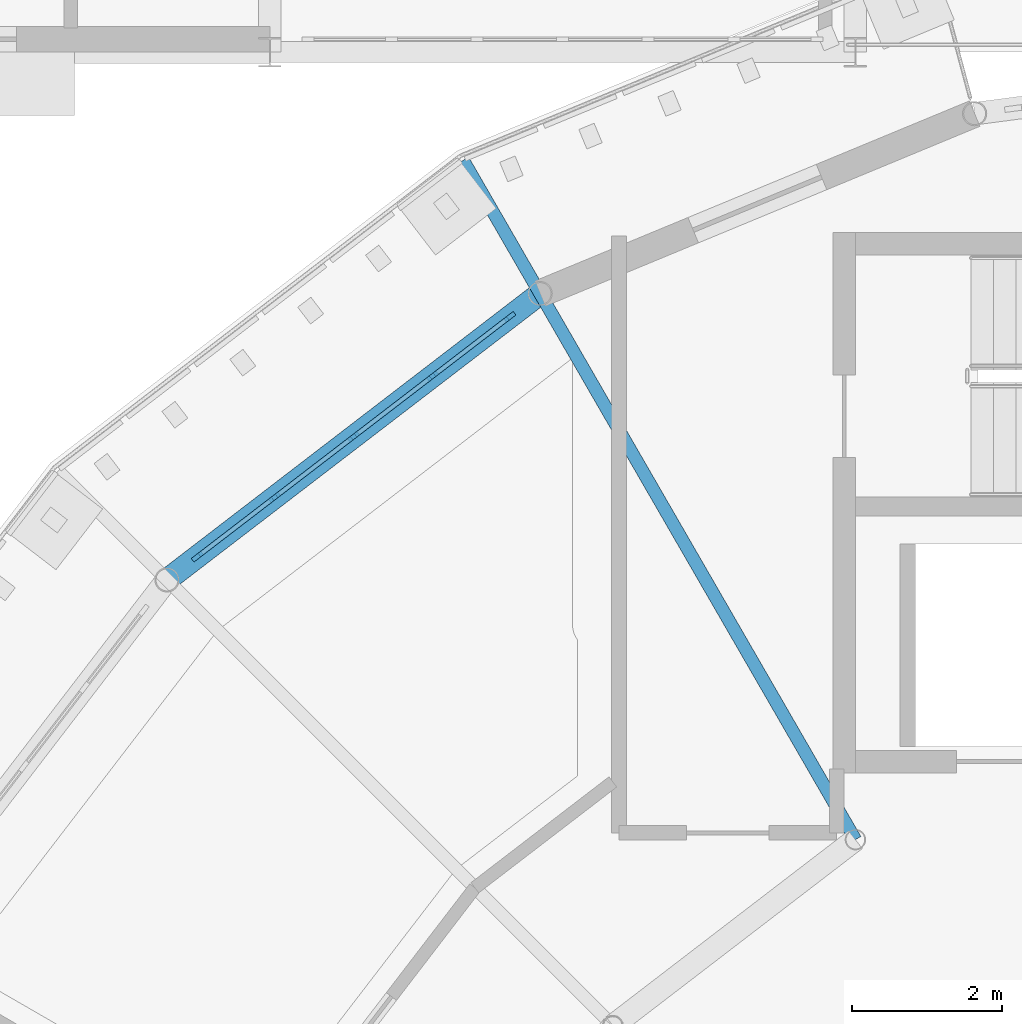
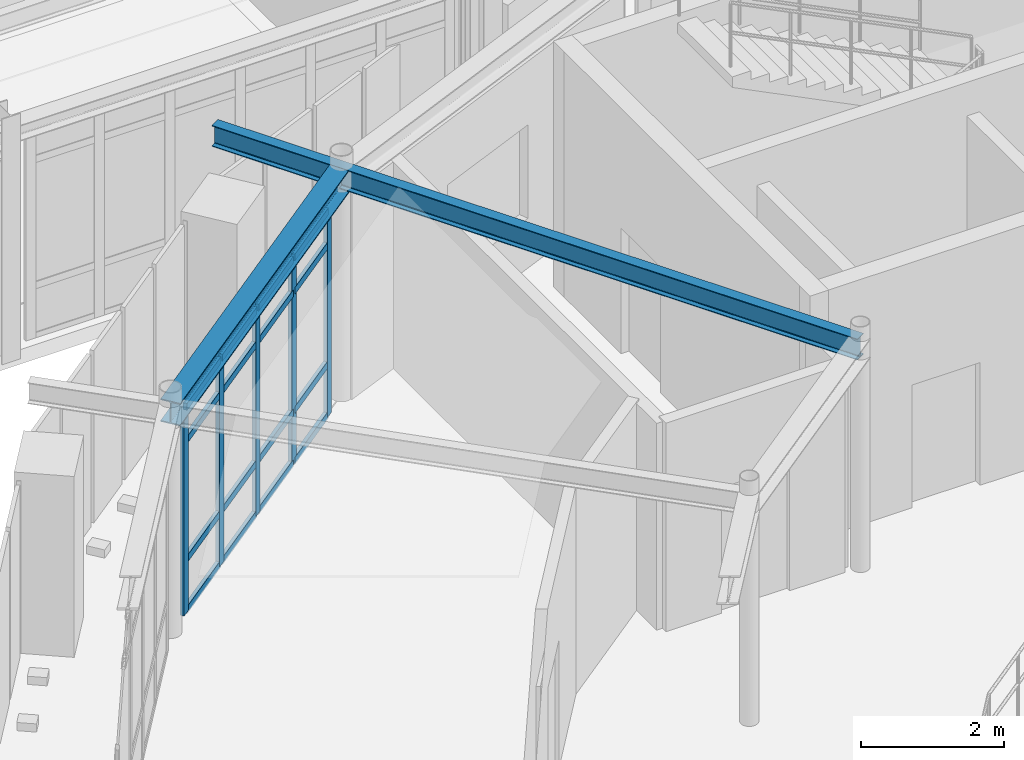
# One storey, part 48 of 90: 21 members, 2 beams, 1 element without a shape of its own.
"""IFC4 building model written with IfcOpenShell, lengths in metres."""

from ifc_helpers import new_model, si_unit, derived_unit, direction, frame, origin, origin_2d, place, context, subcontext, project, spatial, rectangle, i_section, extrude, material, layer, layer_set, material_profile, profile_set, type_object, element, aggregate, save


model = new_model("IFC4")

# Units and contexts
model_context = context("Model", 3, precision=1e-05, world=origin(), true_north=direction((0.0, 1.0)))
body_context = subcontext(model_context, "Body", "Model", "MODEL_VIEW")
ifc_project = project(units=[si_unit("LENGTHUNIT", "METRE"), si_unit("AREAUNIT", "SQUARE_METRE"), si_unit("VOLUMEUNIT", "CUBIC_METRE"), si_unit("PLANEANGLEUNIT", "RADIAN"), si_unit("MASSUNIT", "GRAM", prefix="KILO"), derived_unit("THERMALTRANSMITTANCEUNIT", [(si_unit("POWERUNIT", "WATT"), 1), (si_unit("AREAUNIT", "SQUARE_METRE"), -1), (si_unit("THERMODYNAMICTEMPERATUREUNIT", "KELVIN"), -1)])], contexts=[model_context])

# Site, building, storey
site_placement = place(None, origin())
site = spatial("IfcSite", under=ifc_project, at=site_placement, CompositionType="ELEMENT")
building_placement = place(site_placement, origin())
building = spatial("IfcBuilding", under=site, at=building_placement, Name="Yasenodar Specialist Clinic", CompositionType="ELEMENT")
storey_placement = place(building_placement, frame((0.0, 0.0, 9.0)))
storey = spatial("IfcBuildingStorey", under=building, at=storey_placement, Name="L02", CompositionType="ELEMENT", Elevation=9.0)

# Beams
ifc_material_1 = material(Name="Steel S355", Category="steel")
ifc_material_profile_1 = material_profile(ifc_material_1, i_section(OverallWidth=0.300048828125, OverallDepth=0.389892578125, WebThickness=0.010986328125, FlangeThickness=0.01904296875, FilletRadius=0.027099609375, at=origin_2d()), Name="HEA 400")
ifc_profile_set_1 = profile_set([ifc_material_profile_1], Name="Steel S355")
beam_type_1 = type_object("IfcBeamType", Name="BM-HEA400", PredefinedType="BEAM", material=ifc_profile_set_1)
beam_1_placement = place(storey_placement, frame((69.0, 79.584716796875, 3.7548828125), z_axis=(-0.793349152542, -0.608766886551, 0.0), x_axis=(0.608766886551, -0.793349152542, 0.0)))
element("IfcBeam", 1, at=beam_1_placement, inside=storey, type_object=beam_type_1, Name="L02 Drum V1 Perimeter Ring Beam", PredefinedType="BEAM", context=body_context, shape_type="SweptSolid", body=[
    extrude(i_section(OverallWidth=0.300048828125, OverallDepth=0.389892578125, WebThickness=0.010986328125, FlangeThickness=0.01904296875, FilletRadius=0.027099609375, at=origin_2d()), origin(), (0.0, 0.0, 1.0), 6.265380859375),
])
ifc_material_profile_2 = material_profile(ifc_material_1, i_section(OverallWidth=0.169921875, OverallDepth=0.360107421875, WebThickness=0.008056640625, FlangeThickness=0.0126953125, FilletRadius=0.01806640625, at=origin_2d()), Name="IPE 360")
ifc_profile_set_2 = profile_set([ifc_material_profile_2], Name="Steel S355")
beam_type_2 = type_object("IfcBeamType", Name="BM-IPE360", PredefinedType="BEAM", material=ifc_profile_set_2)
beam_2_placement = place(storey_placement, frame((73.199951171875, 72.31005859375, 3.77001953125), z_axis=(-0.499986032603, 0.866033467715, 0.0), x_axis=(-0.866033467715, -0.499986032603, 0.0)))
element("IfcBeam", 2, at=beam_2_placement, inside=storey, type_object=beam_type_2, Name="L02 Drum V1 Radial Back-Spanned Cantilever Beam", PredefinedType="BEAM", context=body_context, shape_type="SweptSolid", body=[
    extrude(i_section(OverallWidth=0.169921875, OverallDepth=0.360107421875, WebThickness=0.008056640625, FlangeThickness=0.0126953125, FilletRadius=0.01806640625, at=origin_2d()), origin(), (0.0, 0.0, 1.0), 10.449951171875),
])

# Curtain wall, members
ifc_material_2 = material(Name="Bronze Anodized Aluminium and Triple Low-E Glass", Category="aluminium")
ifc_layer = layer(ifc_material_2, 0.1669921875)
ifc_layer_set = layer_set([ifc_layer], Name="Bronze Anodized Aluminium and Triple Low-E Glass")
curtain_wall_type = type_object("IfcCurtainWallType", Name="CW-SYS-01", PredefinedType="USERDEFINED", material=ifc_layer_set)
curtain_wall_placement = place(storey_placement, origin())
curtain_wall = element("IfcCurtainWall", 3, at=curtain_wall_placement, inside=storey, type_object=curtain_wall_type, Name="L02 Unitised Curtain Wall 031", ObjectType="UNITISED CURTAIN WALL", PredefinedType="USERDEFINED")
ifc_material_3 = material(Name="Bronze Anodized Aluminium", Category="aluminium")
ifc_material_profile_3 = material_profile(ifc_material_3, rectangle(XDim=0.06005859375, YDim=0.159912109375, at=origin_2d()), Name="CW-MULL 60x160")
ifc_profile_set_3 = profile_set([ifc_material_profile_3], Name="Bronze Anodized Aluminium")
member_type_1 = type_object("IfcMemberType", Name="CW-MULL-160", PredefinedType="MULLION", material=ifc_profile_set_3)
member_1_placement = place(storey_placement, frame((64.43408203125, 76.0810546875, 0.0), z_axis=(0.0, 0.0, 1.0), x_axis=(-0.608752021844, 0.793360558574, 0.0)))
member_1 = element("IfcMember", 4, at=member_1_placement, type_object=member_type_1, Name="CW-01 mullion 1", PredefinedType="MULLION", context=body_context, shape_type="SweptSolid", body=[
    extrude(rectangle(XDim=0.06005859375, YDim=0.159912109375, at=origin_2d()), origin(), (0.0, 0.0, 1.0), 3.5380859375),
])
member_2_placement = place(storey_placement, frame((65.46240234375, 76.8701171875, 0.0), z_axis=(0.0, 0.0, 1.0), x_axis=(-0.608752021844, 0.793360558574, 0.0)))
member_2 = element("IfcMember", 5, at=member_2_placement, type_object=member_type_1, Name="CW-01 mullion 2", PredefinedType="MULLION", context=body_context, shape_type="SweptSolid", body=[
    extrude(rectangle(XDim=0.06005859375, YDim=0.159912109375, at=origin_2d()), origin(), (0.0, 0.0, 1.0), 3.5380859375),
])
member_3_placement = place(storey_placement, frame((66.5146484375, 77.677490234375, 0.0), z_axis=(0.0, 0.0, 1.0), x_axis=(-0.608752021844, 0.793360558574, 0.0)))
member_3 = element("IfcMember", 6, at=member_3_placement, type_object=member_type_1, Name="CW-01 mullion 3", PredefinedType="MULLION", context=body_context, shape_type="SweptSolid", body=[
    extrude(rectangle(XDim=0.06005859375, YDim=0.159912109375, at=origin_2d()), origin(), (0.0, 0.0, 1.0), 3.5380859375),
])
member_4_placement = place(storey_placement, frame((67.56689453125, 78.485107421875, 0.0), z_axis=(0.0, 0.0, 1.0), x_axis=(-0.608752021844, 0.793360558574, 0.0)))
member_4 = element("IfcMember", 7, at=member_4_placement, type_object=member_type_1, Name="CW-01 mullion 4", PredefinedType="MULLION", context=body_context, shape_type="SweptSolid", body=[
    extrude(rectangle(XDim=0.06005859375, YDim=0.159912109375, at=origin_2d()), origin(), (0.0, 0.0, 1.0), 3.5380859375),
])
member_5_placement = place(storey_placement, frame((68.595458984375, 79.274169921875, 0.0), z_axis=(0.0, 0.0, 1.0), x_axis=(-0.608752021844, 0.793360558574, 0.0)))
member_5 = element("IfcMember", 8, at=member_5_placement, type_object=member_type_1, Name="CW-01 mullion 5", PredefinedType="MULLION", context=body_context, shape_type="SweptSolid", body=[
    extrude(rectangle(XDim=0.06005859375, YDim=0.159912109375, at=origin_2d()), origin(), (0.0, 0.0, 1.0), 3.5380859375),
])
ifc_material_profile_4 = material_profile(ifc_material_3, rectangle(XDim=0.06005859375, YDim=0.1201171875, at=origin_2d()), Name="CW-TRAN 60x120")
ifc_profile_set_4 = profile_set([ifc_material_profile_4], Name="Bronze Anodized Aluminium")
member_type_2 = type_object("IfcMemberType", Name="CW-TRAN-120", PredefinedType="USERDEFINED", material=ifc_profile_set_4)
member_6_placement = place(storey_placement, frame((64.457763671875, 76.099365234375, 0.030029296875), z_axis=(0.793364768151, 0.608746535642, 0.0), x_axis=(-0.608746535642, 0.793364768151, 0.0)))
member_6 = element("IfcMember", 9, at=member_6_placement, type_object=member_type_2, Name="CW-01 transom 1.1", ObjectType="TRANSOM", PredefinedType="USERDEFINED", context=body_context, shape_type="SweptSolid", body=[
    extrude(rectangle(XDim=0.06005859375, YDim=0.1201171875, at=origin_2d()), origin(), (0.0, 0.0, 1.0), 1.236572265625),
])
member_7_placement = place(storey_placement, frame((64.457763671875, 76.099365234375, 0.89990234375), z_axis=(0.793364768151, 0.608746535642, 0.0), x_axis=(-0.608746535642, 0.793364768151, 0.0)))
member_7 = element("IfcMember", 10, at=member_7_placement, type_object=member_type_2, Name="CW-01 transom 1.2", ObjectType="TRANSOM", PredefinedType="USERDEFINED", context=body_context, shape_type="SweptSolid", body=[
    extrude(rectangle(XDim=0.06005859375, YDim=0.1201171875, at=origin_2d()), origin(), (0.0, 0.0, 1.0), 1.236572265625),
])
member_8_placement = place(storey_placement, frame((64.457763671875, 76.099365234375, 2.93798828125), z_axis=(0.793364768151, 0.608746535642, 0.0), x_axis=(-0.608746535642, 0.793364768151, 0.0)))
member_8 = element("IfcMember", 11, at=member_8_placement, type_object=member_type_2, Name="CW-01 transom 1.3", ObjectType="TRANSOM", PredefinedType="USERDEFINED", context=body_context, shape_type="SweptSolid", body=[
    extrude(rectangle(XDim=0.06005859375, YDim=0.1201171875, at=origin_2d()), origin(), (0.0, 0.0, 1.0), 1.236572265625),
])
member_9_placement = place(storey_placement, frame((64.457763671875, 76.099365234375, 3.508056640625), z_axis=(0.793364768151, 0.608746535642, 0.0), x_axis=(-0.608746535642, 0.793364768151, 0.0)))
member_9 = element("IfcMember", 12, at=member_9_placement, type_object=member_type_2, Name="CW-01 transom 1.4", ObjectType="TRANSOM", PredefinedType="USERDEFINED", context=body_context, shape_type="SweptSolid", body=[
    extrude(rectangle(XDim=0.06005859375, YDim=0.1201171875, at=origin_2d()), origin(), (0.0, 0.0, 1.0), 1.236572265625),
])
member_10_placement = place(storey_placement, frame((65.486328125, 76.888427734375, 0.030029296875), z_axis=(0.793311491475, 0.608815963567, 0.0), x_axis=(-0.608815963567, 0.793311491475, 0.0)))
member_10 = element("IfcMember", 13, at=member_10_placement, type_object=member_type_2, Name="CW-01 transom 2.1", ObjectType="TRANSOM", PredefinedType="USERDEFINED", context=body_context, shape_type="SweptSolid", body=[
    extrude(rectangle(XDim=0.06005859375, YDim=0.1201171875, at=origin_2d()), origin(), (0.0, 0.0, 1.0), 1.266357421875),
])
member_11_placement = place(storey_placement, frame((65.486328125, 76.888427734375, 0.89990234375), z_axis=(0.793311491475, 0.608815963567, 0.0), x_axis=(-0.608815963567, 0.793311491475, 0.0)))
member_11 = element("IfcMember", 14, at=member_11_placement, type_object=member_type_2, Name="CW-01 transom 2.2", ObjectType="TRANSOM", PredefinedType="USERDEFINED", context=body_context, shape_type="SweptSolid", body=[
    extrude(rectangle(XDim=0.06005859375, YDim=0.1201171875, at=origin_2d()), origin(), (0.0, 0.0, 1.0), 1.266357421875),
])
member_12_placement = place(storey_placement, frame((65.486328125, 76.888427734375, 2.93798828125), z_axis=(0.793311491475, 0.608815963567, 0.0), x_axis=(-0.608815963567, 0.793311491475, 0.0)))
member_12 = element("IfcMember", 15, at=member_12_placement, type_object=member_type_2, Name="CW-01 transom 2.3", ObjectType="TRANSOM", PredefinedType="USERDEFINED", context=body_context, shape_type="SweptSolid", body=[
    extrude(rectangle(XDim=0.06005859375, YDim=0.1201171875, at=origin_2d()), origin(), (0.0, 0.0, 1.0), 1.266357421875),
])
member_13_placement = place(storey_placement, frame((65.486328125, 76.888427734375, 3.508056640625), z_axis=(0.793311491475, 0.608815963567, 0.0), x_axis=(-0.608815963567, 0.793311491475, 0.0)))
member_13 = element("IfcMember", 16, at=member_13_placement, type_object=member_type_2, Name="CW-01 transom 2.4", ObjectType="TRANSOM", PredefinedType="USERDEFINED", context=body_context, shape_type="SweptSolid", body=[
    extrude(rectangle(XDim=0.06005859375, YDim=0.1201171875, at=origin_2d()), origin(), (0.0, 0.0, 1.0), 1.266357421875),
])
member_14_placement = place(storey_placement, frame((66.53857421875, 77.69580078125, 0.030029296875), z_axis=(0.793311491475, 0.608815963567, 0.0), x_axis=(-0.608815963567, 0.793311491475, 0.0)))
member_14 = element("IfcMember", 17, at=member_14_placement, type_object=member_type_2, Name="CW-01 transom 3.1", ObjectType="TRANSOM", PredefinedType="USERDEFINED", context=body_context, shape_type="SweptSolid", body=[
    extrude(rectangle(XDim=0.06005859375, YDim=0.1201171875, at=origin_2d()), origin(), (0.0, 0.0, 1.0), 1.266357421875),
])
member_15_placement = place(storey_placement, frame((66.53857421875, 77.69580078125, 0.89990234375), z_axis=(0.793311491475, 0.608815963567, 0.0), x_axis=(-0.608815963567, 0.793311491475, 0.0)))
member_15 = element("IfcMember", 18, at=member_15_placement, type_object=member_type_2, Name="CW-01 transom 3.2", ObjectType="TRANSOM", PredefinedType="USERDEFINED", context=body_context, shape_type="SweptSolid", body=[
    extrude(rectangle(XDim=0.06005859375, YDim=0.1201171875, at=origin_2d()), origin(), (0.0, 0.0, 1.0), 1.266357421875),
])
member_16_placement = place(storey_placement, frame((66.53857421875, 77.69580078125, 2.93798828125), z_axis=(0.793311491475, 0.608815963567, 0.0), x_axis=(-0.608815963567, 0.793311491475, 0.0)))
member_16 = element("IfcMember", 19, at=member_16_placement, type_object=member_type_2, Name="CW-01 transom 3.3", ObjectType="TRANSOM", PredefinedType="USERDEFINED", context=body_context, shape_type="SweptSolid", body=[
    extrude(rectangle(XDim=0.06005859375, YDim=0.1201171875, at=origin_2d()), origin(), (0.0, 0.0, 1.0), 1.266357421875),
])
member_17_placement = place(storey_placement, frame((66.53857421875, 77.69580078125, 3.508056640625), z_axis=(0.793311491475, 0.608815963567, 0.0), x_axis=(-0.608815963567, 0.793311491475, 0.0)))
member_17 = element("IfcMember", 20, at=member_17_placement, type_object=member_type_2, Name="CW-01 transom 3.4", ObjectType="TRANSOM", PredefinedType="USERDEFINED", context=body_context, shape_type="SweptSolid", body=[
    extrude(rectangle(XDim=0.06005859375, YDim=0.1201171875, at=origin_2d()), origin(), (0.0, 0.0, 1.0), 1.266357421875),
])
member_18_placement = place(storey_placement, frame((67.5908203125, 78.503173828125, 0.030029296875), z_axis=(0.793291580461, 0.608841907534, 0.0), x_axis=(-0.608841907534, 0.793291580461, 0.0)))
member_18 = element("IfcMember", 21, at=member_18_placement, type_object=member_type_2, Name="CW-01 transom 4.1", ObjectType="TRANSOM", PredefinedType="USERDEFINED", context=body_context, shape_type="SweptSolid", body=[
    extrude(rectangle(XDim=0.06005859375, YDim=0.1201171875, at=origin_2d()), origin(), (0.0, 0.0, 1.0), 1.236328125),
])
member_19_placement = place(storey_placement, frame((67.5908203125, 78.503173828125, 0.89990234375), z_axis=(0.793291580461, 0.608841907534, 0.0), x_axis=(-0.608841907534, 0.793291580461, 0.0)))
member_19 = element("IfcMember", 22, at=member_19_placement, type_object=member_type_2, Name="CW-01 transom 4.2", ObjectType="TRANSOM", PredefinedType="USERDEFINED", context=body_context, shape_type="SweptSolid", body=[
    extrude(rectangle(XDim=0.06005859375, YDim=0.1201171875, at=origin_2d()), origin(), (0.0, 0.0, 1.0), 1.236328125),
])
member_20_placement = place(storey_placement, frame((67.5908203125, 78.503173828125, 2.93798828125), z_axis=(0.793291580461, 0.608841907534, 0.0), x_axis=(-0.608841907534, 0.793291580461, 0.0)))
member_20 = element("IfcMember", 23, at=member_20_placement, type_object=member_type_2, Name="CW-01 transom 4.3", ObjectType="TRANSOM", PredefinedType="USERDEFINED", context=body_context, shape_type="SweptSolid", body=[
    extrude(rectangle(XDim=0.06005859375, YDim=0.1201171875, at=origin_2d()), origin(), (0.0, 0.0, 1.0), 1.236328125),
])
member_21_placement = place(storey_placement, frame((67.5908203125, 78.503173828125, 3.508056640625), z_axis=(0.793291580461, 0.608841907534, 0.0), x_axis=(-0.608841907534, 0.793291580461, 0.0)))
member_21 = element("IfcMember", 24, at=member_21_placement, type_object=member_type_2, Name="CW-01 transom 4.4", ObjectType="TRANSOM", PredefinedType="USERDEFINED", context=body_context, shape_type="SweptSolid", body=[
    extrude(rectangle(XDim=0.06005859375, YDim=0.1201171875, at=origin_2d()), origin(), (0.0, 0.0, 1.0), 1.236328125),
])
aggregate(curtain_wall, [member_1, member_2, member_3, member_4, member_5, member_6, member_7, member_8, member_9, member_10, member_11, member_12, member_13, member_14, member_15, member_16, member_17, member_18, member_19, member_20, member_21])

save(model, "model.ifc")
